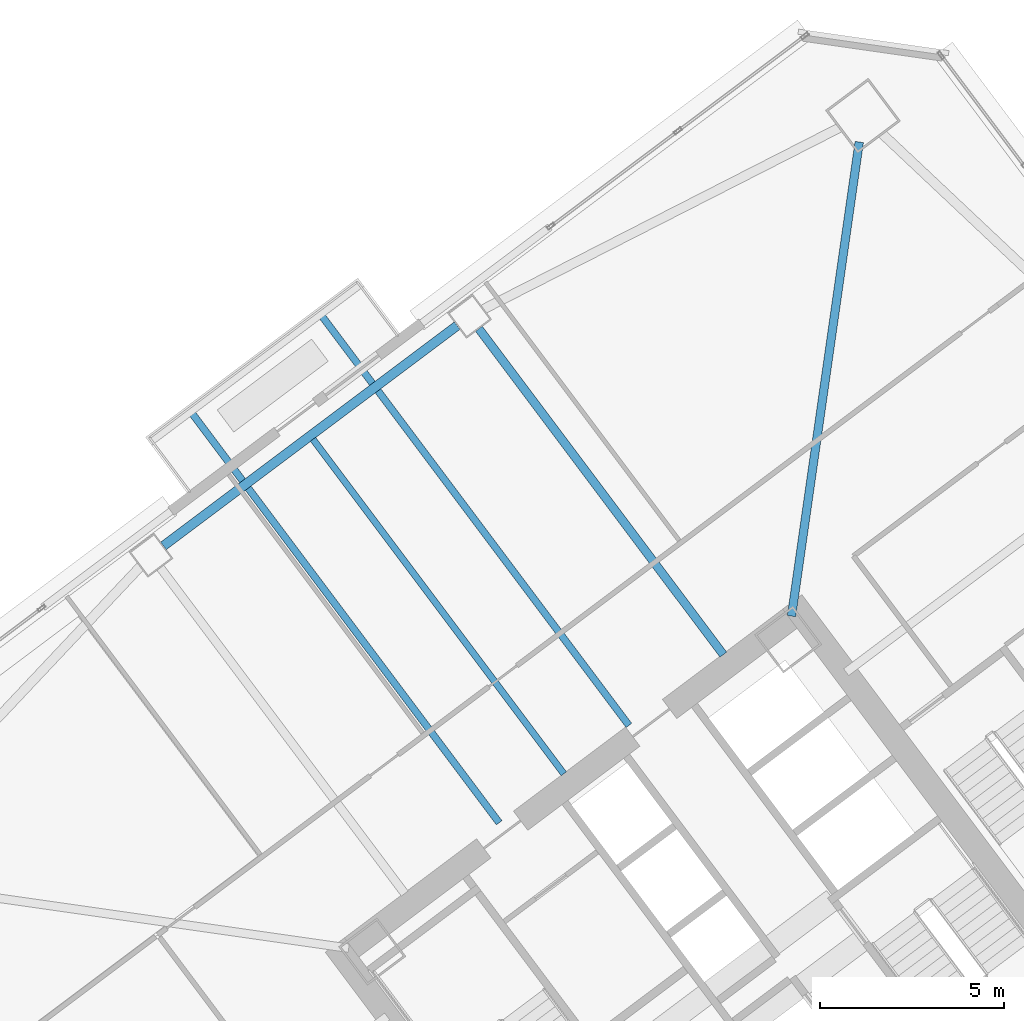
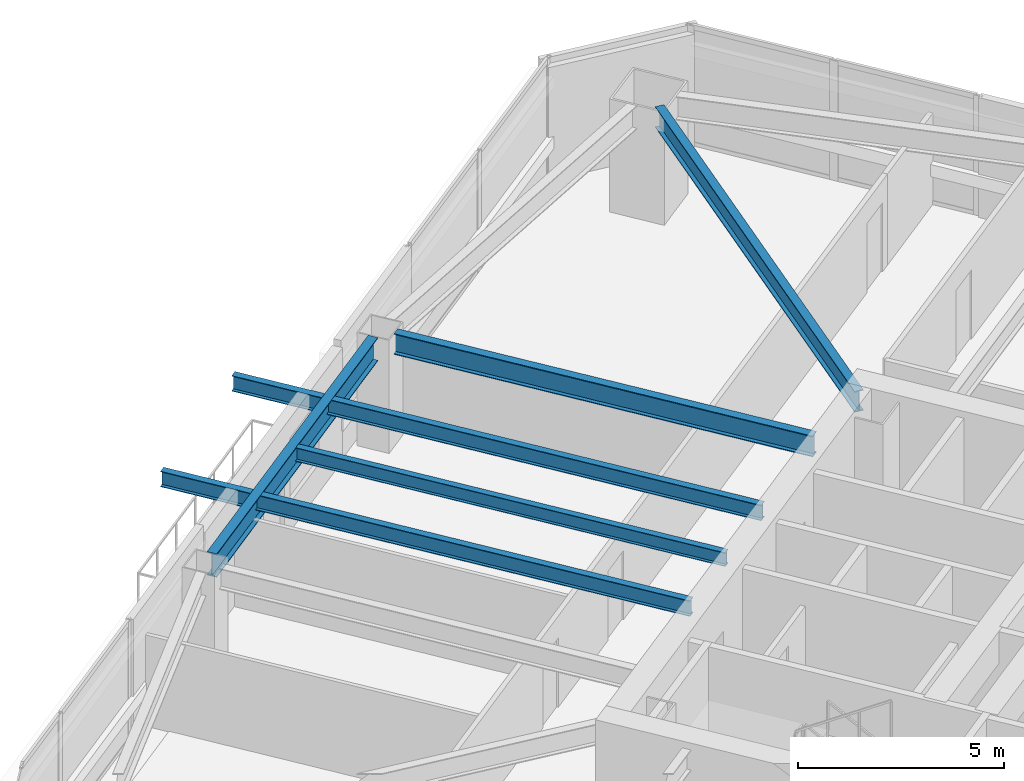
# One storey, part 27 of 44: 6 beams.
"""IFC4 building model written with IfcOpenShell, lengths in metres."""

from ifc_helpers import new_model, si_unit, direction, frame, origin, origin_2d, place, context, subcontext, project, spatial, i_section, extrude, material, material_profile, profile_set, type_object, element, save


model = new_model("IFC4")

# Units and contexts
model_context = context("Model", 3, precision=1e-05, world=origin(), true_north=direction((0.0, 1.0)))
body_context = subcontext(model_context, "Body", "Model", "MODEL_VIEW")
ifc_project = project(units=[si_unit("LENGTHUNIT", "METRE"), si_unit("AREAUNIT", "SQUARE_METRE"), si_unit("VOLUMEUNIT", "CUBIC_METRE"), si_unit("PLANEANGLEUNIT", "RADIAN"), si_unit("MASSUNIT", "GRAM", prefix="KILO")], contexts=[model_context])

# Site, building, storey
site_placement = place(None, origin())
site = spatial("IfcSite", under=ifc_project, at=site_placement, CompositionType="ELEMENT")
building_placement = place(site_placement, origin())
building = spatial("IfcBuilding", under=site, at=building_placement, Name="Tashvorn Skyway Center", CompositionType="ELEMENT")
storey_placement = place(building_placement, frame((0.0, 0.0, 92.050048828125)))
storey = spatial("IfcBuildingStorey", under=building, at=storey_placement, Name="L24", CompositionType="ELEMENT", Elevation=92.050048828125)

# Beams
ifc_material = material(Name="Steel ASTM A992 Grade 50", Category="steel")
ifc_material_profile_1 = material_profile(ifc_material, i_section(OverallWidth=0.22998046875, OverallDepth=0.616943359375, WebThickness=0.01318359375, FlangeThickness=0.022216796875, at=origin_2d()), Name="W24X94")
ifc_profile_set_1 = profile_set([ifc_material_profile_1], Name="Steel ASTM A992 Grade 50")
beam_type_1 = type_object("IfcBeamType", Name="BM-BEAM-W24X94", PredefinedType="BEAM", material=ifc_profile_set_1)
beam_1_placement = place(storey_placement, frame((117.338134765625, 55.3671875, 3.04150390625), z_axis=(-0.141418724841, -0.989949869571, 0.0), x_axis=(0.989949869571, -0.141418724841, 0.0)))
element("IfcBeam", 1, at=beam_1_placement, inside=storey, type_object=beam_type_1, Name="Tower 2 L24 Primary Floor Girder MC-NE", PredefinedType="BEAM", context=body_context, shape_type="SweptSolid", body=[
    extrude(i_section(OverallWidth=0.22998046875, OverallDepth=0.616943359375, WebThickness=0.01318359375, FlangeThickness=0.022216796875, at=origin_2d()), origin(), (0.0, 0.0, 1.0), 12.9892578125),
])
beam_2_placement = place(storey_placement, frame((107.02197265625, 50.303955078125, 3.04150390625), z_axis=(0.60001414024, -0.799989394625, 0.0), x_axis=(0.799989394625, 0.60001414024, 0.0)))
element("IfcBeam", 2, at=beam_2_placement, inside=storey, type_object=beam_type_1, Name="Tower 2 L24 Primary Floor Girder FC-N1", PredefinedType="BEAM", context=body_context, shape_type="SweptSolid", body=[
    extrude(i_section(OverallWidth=0.22998046875, OverallDepth=0.616943359375, WebThickness=0.01318359375, FlangeThickness=0.022216796875, at=origin_2d()), origin(), (0.0, 0.0, 1.0), 11.050048828125),
])
ifc_material_profile_2 = material_profile(ifc_material, i_section(OverallWidth=0.177978515625, OverallDepth=0.406005859375, WebThickness=0.0078125, FlangeThickness=0.0126953125, at=origin_2d()), Name="W16X40")
ifc_profile_set_2 = profile_set([ifc_material_profile_2], Name="Steel ASTM A992 Grade 50")
beam_type_2 = type_object("IfcBeamType", Name="BM-JOIST-W16X40", PredefinedType="JOIST", material=ifc_profile_set_2)
beam_3_placement = place(storey_placement, frame((109.325927734375, 38.23193359375, 3.14697265625), z_axis=(-0.599996555327, 0.800002583493, 0.0), x_axis=(-0.800002583493, -0.599996555327, 0.0)))
element("IfcBeam", 3, at=beam_3_placement, inside=storey, type_object=beam_type_2, Name="Tower 2 L24 Secondary Composite Joist JN", PredefinedType="JOIST", context=body_context, shape_type="SweptSolid", body=[
    extrude(i_section(OverallWidth=0.177978515625, OverallDepth=0.406005859375, WebThickness=0.0078125, FlangeThickness=0.0126953125, at=origin_2d()), origin(), (0.0, 0.0, 1.0), 11.340087890625),
])
ifc_material_profile_3 = material_profile(ifc_material, i_section(OverallWidth=0.19091796875, OverallDepth=0.4599609375, WebThickness=0.010009765625, FlangeThickness=0.01611328125, at=origin_2d()), Name="W18X55")
ifc_profile_set_3 = profile_set([ifc_material_profile_3], Name="Steel ASTM A992 Grade 50")
beam_type_3 = type_object("IfcBeamType", Name="BM-JOIST-W18X55", PredefinedType="JOIST", material=ifc_profile_set_3)
for number, where, z_axis, x_axis, name in (
    (4, (107.572021484375, 36.904052734375, 3.119873046875), (-0.600002796153, 0.799997902878, 0.0), (-0.799997902878, -0.600002796153, 0.0), "Tower 2 L25 Terrace Cantilever Outlooker 1"),
    (5, (111.092041015625, 39.5439453125, 3.119873046875), (-0.600002796153, 0.799997902878, 0.0), (-0.799997902878, -0.600002796153, 0.0), "Tower 2 L25 Terrace Cantilever Outlooker 2"),
):
    element("IfcBeam", number, at=place(storey_placement, frame(where, z_axis=z_axis, x_axis=x_axis)), inside=storey, type_object=beam_type_3, Name=name, PredefinedType="JOIST", context=body_context, shape_type="SweptSolid", body=[
        extrude(i_section(OverallWidth=0.19091796875, OverallDepth=0.4599609375, WebThickness=0.010009765625, FlangeThickness=0.01611328125, at=origin_2d()), origin(), (0.0, 0.0, 1.0), 13.969970703125),
    ])
ifc_material_profile_4 = material_profile(ifc_material, i_section(OverallWidth=0.256103515625, OverallDepth=0.693115234375, WebThickness=0.014404296875, FlangeThickness=0.023681640625, at=origin_2d()), Name="W27X114")
ifc_profile_set_4 = profile_set([ifc_material_profile_4], Name="Steel ASTM A992 Grade 50")
beam_type_4 = type_object("IfcBeamType", Name="BM-SPANDREL-W27X114", PredefinedType="SPANDREL", material=ifc_profile_set_4)
beam_4_placement = place(storey_placement, frame((106.43408203125, 50.387939453125, 3.00341796875), z_axis=(-0.800008824351, -0.599988234018, 0.0), x_axis=(0.599988234018, -0.800008824351, 0.0)))
element("IfcBeam", 6, at=beam_4_placement, inside=storey, type_object=beam_type_4, Name="Tower 2 L24 Spandrel Beam 08", PredefinedType="SPANDREL", context=body_context, shape_type="SweptSolid", body=[
    extrude(i_section(OverallWidth=0.256103515625, OverallDepth=0.693115234375, WebThickness=0.014404296875, FlangeThickness=0.023681640625, at=origin_2d()), origin(), (0.0, 0.0, 1.0), 9.9599609375),
])

save(model, "model.ifc")
